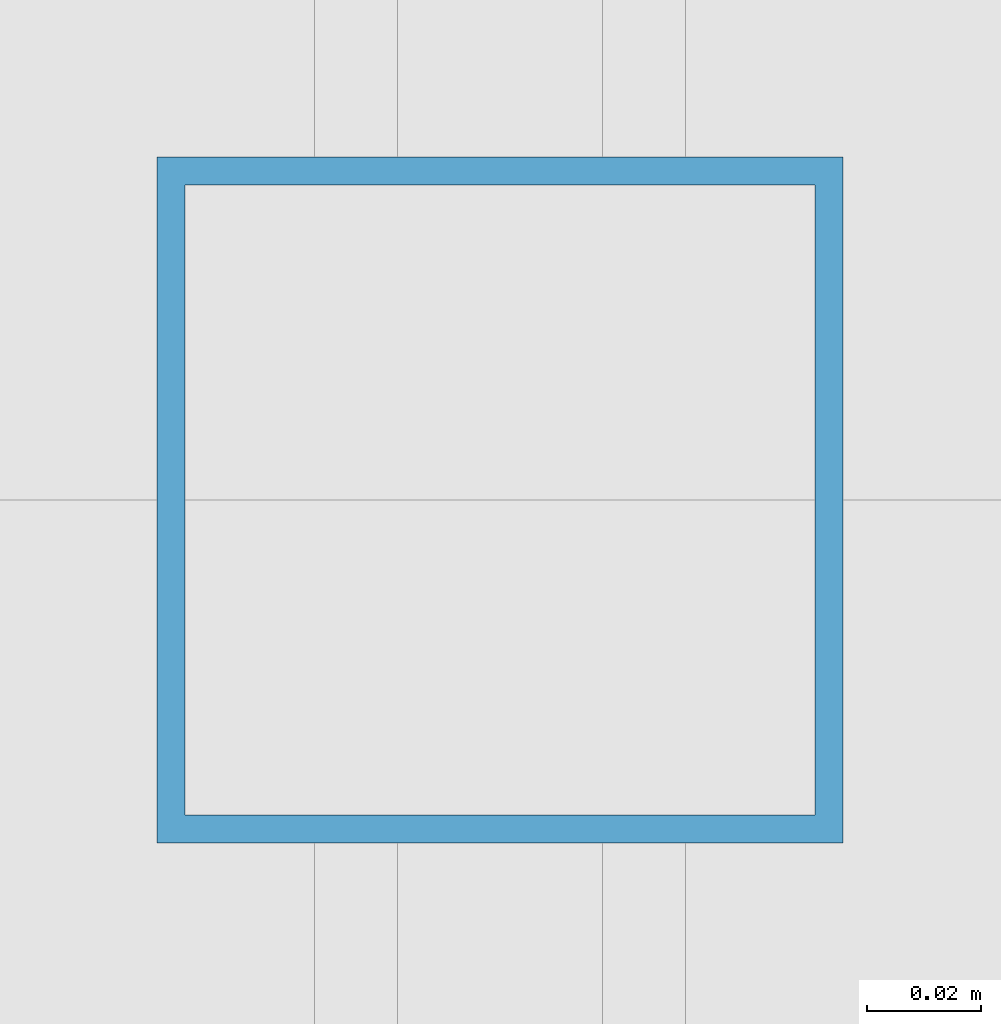
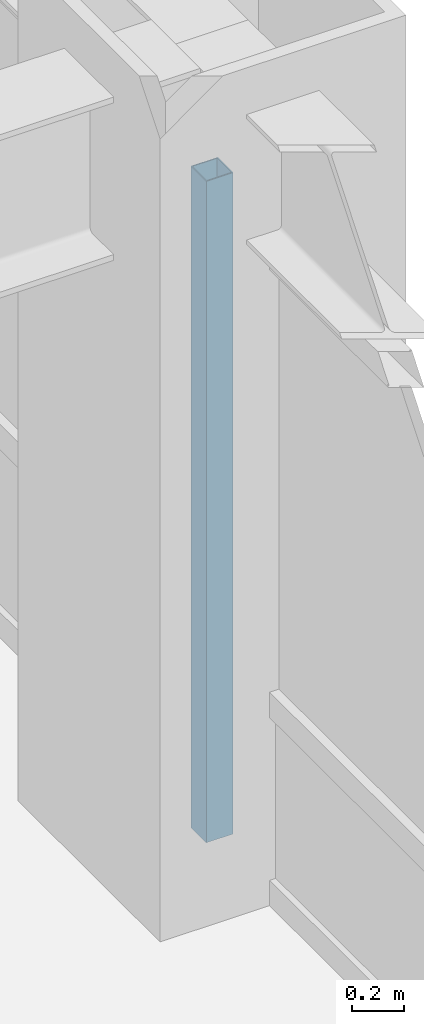
# One storey, part 10 of 25: 1 member, 1 element without a shape of its own.
"""IFC4 building model written with IfcOpenShell, lengths in metres."""

from ifc_helpers import new_model, si_unit, direction, frame, origin, origin_2d, place, context, subcontext, project, spatial, hollow_rectangle, extrude, source, transform, mapped, material, material_profile, profile_set, type_object, element, aggregate, save


model = new_model("IFC4")

# Units and contexts
model_context = context("Model", 3, precision=1e-05, world=origin(), true_north=direction((0.0, 1.0)))
body_context = subcontext(model_context, "Body", "Model", "MODEL_VIEW")
ifc_project = project(units=[si_unit("LENGTHUNIT", "METRE"), si_unit("AREAUNIT", "SQUARE_METRE"), si_unit("VOLUMEUNIT", "CUBIC_METRE"), si_unit("PLANEANGLEUNIT", "RADIAN"), si_unit("MASSUNIT", "GRAM", prefix="KILO")], contexts=[model_context])

# Site, building, storey
site_placement = place(None, origin())
site = spatial("IfcSite", under=ifc_project, at=site_placement, CompositionType="ELEMENT")
building_placement = place(site_placement, origin())
building = spatial("IfcBuilding", under=site, at=building_placement, Name="Khorayat Bourse Tower", CompositionType="ELEMENT")
storey_placement = place(building_placement, frame((0.0, 0.0, 195.10009765625)))
storey = spatial("IfcBuildingStorey", under=building, at=storey_placement, Name="L45", CompositionType="ELEMENT", Elevation=195.10009765625)

# Curtain wall, member
ifc_material = material(Name="Aluminium EN AW-6063 T6", Category="aluminium")
curtain_wall_type = type_object("IfcCurtainWallType", Name="CW-SYS-03", PredefinedType="NOTDEFINED", material=ifc_material)
curtain_wall_placement = place(storey_placement, origin())
curtain_wall = element("IfcCurtainWall", 1, at=curtain_wall_placement, inside=storey, type_object=curtain_wall_type, Name="L45 Curtain Wall CW-L45-E1", PredefinedType="NOTDEFINED")
ifc_material_profile = material_profile(ifc_material, hollow_rectangle(XDim=0.1201171875, YDim=0.1201171875, WallThickness=0.0048828125, at=origin_2d()), Name="ALU 120x120x5")
ifc_profile_set = profile_set([ifc_material_profile], Name="Aluminium EN AW-6063 T6")
member_type = type_object("IfcMemberType", Name="CWM-VERT-120", PredefinedType="MULLION", material=ifc_profile_set)
shared_shape = source(origin(), body_context, "Body", "SweptSolid", [
    extrude(hollow_rectangle(XDim=0.1201171875, YDim=0.1201171875, WallThickness=0.0048828125, at=origin_2d()), origin(), (0.0, 0.0, 1.0), 3.1298828125),
])
member_placement = place(storey_placement, frame((30.0, 0.0, 0.0), z_axis=(0.0, 0.0, 1.0), x_axis=(-1.0, 0.0, 0.0)))
member = element("IfcMember", 2, at=member_placement, type_object=member_type, Name="CW-L45-E1 Vertical Mullion 2", PredefinedType="MULLION", context=body_context, shape_type="MappedRepresentation", body=[
    mapped(shared_shape, transform((0.0, 0.0, 0.0), scale=1.0)),
])
aggregate(curtain_wall, [member])

save(model, "model.ifc")
